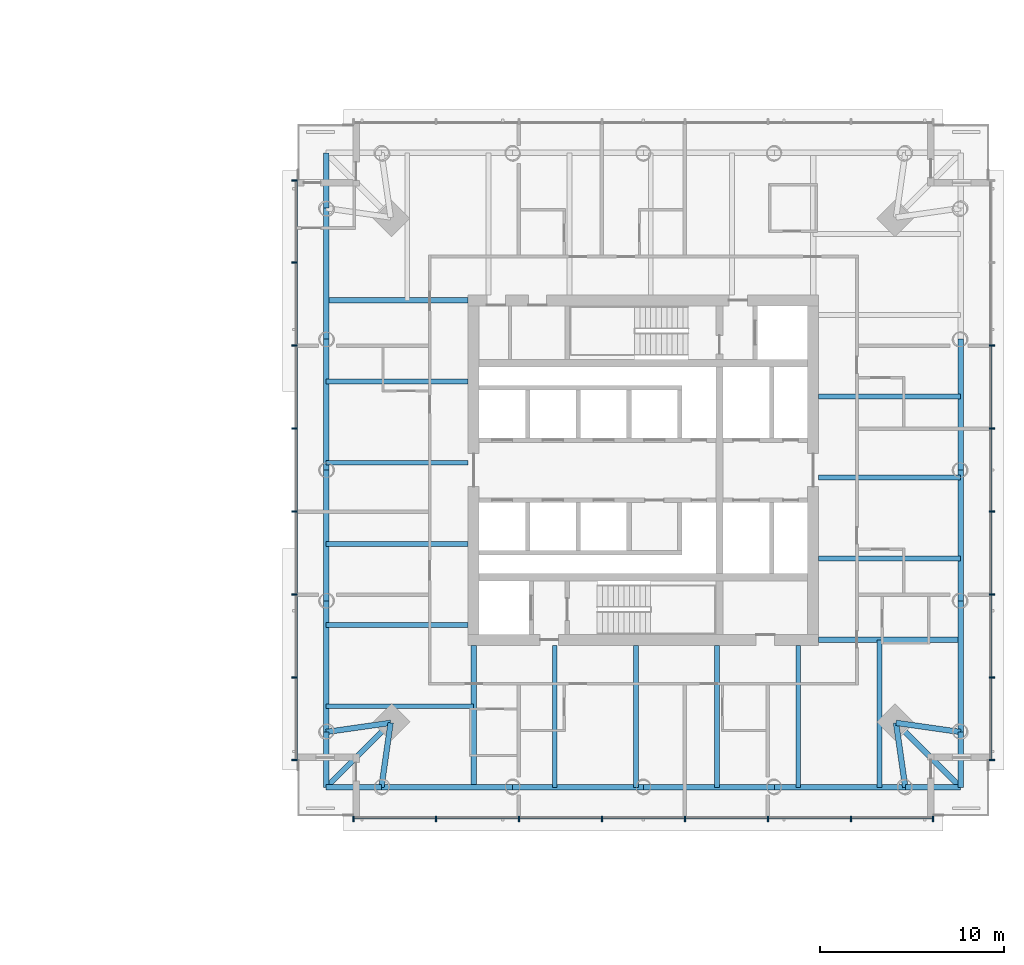
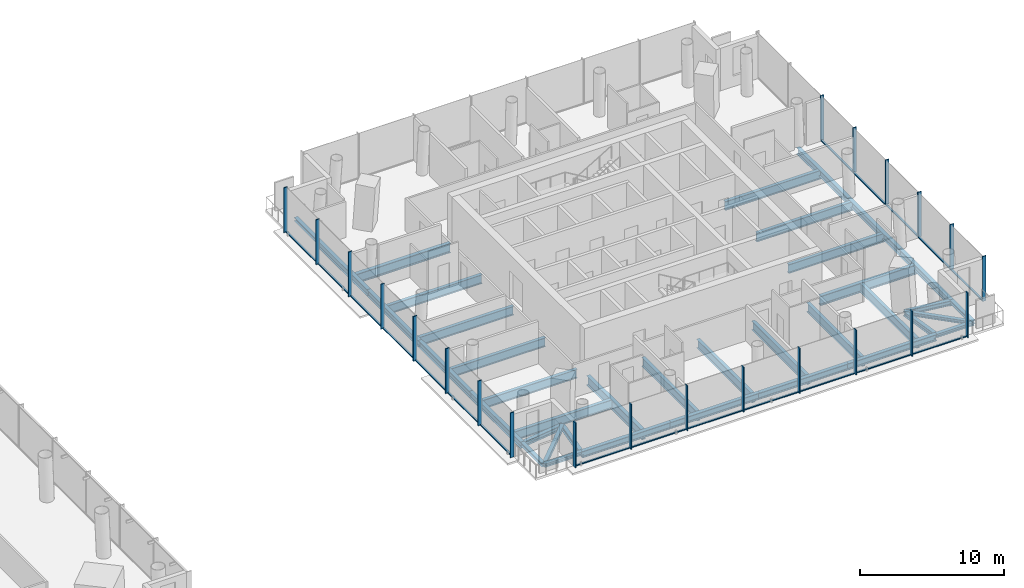
# One storey, part 5 of 22: 41 members, 38 beams, 3 elements without a shape of their own.
"""IFC4 building model written with IfcOpenShell, lengths in metres."""

from ifc_helpers import new_model, si_unit, direction, frame, origin, origin_2d, place, context, subcontext, project, spatial, rectangle, i_section, extrude, material, material_profile, profile_set, type_object, element, aggregate, save


model = new_model("IFC4")

# Units and contexts
model_context = context("Model", 3, precision=1e-05, world=origin(), true_north=direction((0.0, 1.0)))
body_context = subcontext(model_context, "Body", "Model", "MODEL_VIEW")
ifc_project = project(units=[si_unit("LENGTHUNIT", "METRE"), si_unit("AREAUNIT", "SQUARE_METRE"), si_unit("VOLUMEUNIT", "CUBIC_METRE"), si_unit("PLANEANGLEUNIT", "RADIAN"), si_unit("MASSUNIT", "GRAM", prefix="KILO")], contexts=[model_context])

# Site, building, storey
site_placement = place(None, origin())
site = spatial("IfcSite", under=ifc_project, at=site_placement, CompositionType="ELEMENT")
building_placement = place(site_placement, origin())
building = spatial("IfcBuilding", under=site, at=building_placement, Name="Ostroluk Exchange", CompositionType="ELEMENT")
storey_placement = place(building_placement, frame((0.0, 0.0, 62.800048828125)))
storey = spatial("IfcBuildingStorey", under=building, at=storey_placement, Name="L15", CompositionType="ELEMENT", Elevation=62.800048828125)

# Beams
ifc_material_1 = material(Name="Steel S355", Category="steel")
ifc_material_profile_1 = material_profile(ifc_material_1, i_section(OverallWidth=0.300048828125, OverallDepth=0.300048828125, WebThickness=0.010986328125, FlangeThickness=0.01904296875, FilletRadius=0.027099609375, at=origin_2d()), Name="HEB 300")
ifc_profile_set_1 = profile_set([ifc_material_profile_1], Name="Steel S355")
beam_type_1 = type_object("IfcBeamType", Name="Balcony beam HEB 300", PredefinedType="BEAM", material=ifc_profile_set_1)
for number, where, z_axis, x_axis, name in (
    (1, (99.8017578125, 60.1982421875, -0.35009765625), (0.0, 1.0, 0.0), (-1.0, 0.0, 0.0), "T2 north balcony beam b"),
    (2, (99.8017578125, 31.8017578125, -0.35009765625), (0.0, -1.0, 0.0), (1.0, 0.0, 0.0), "T2 west balcony beam a"),
    (3, (102.8017578125, 28.8017578125, -0.35009765625), (-1.0, 0.0, 0.0), (0.0, -1.0, 0.0), "T2 west balcony beam b"),
):
    element("IfcBeam", number, at=place(storey_placement, frame(where, z_axis=z_axis, x_axis=x_axis)), inside=storey, type_object=beam_type_1, Name=name, PredefinedType="BEAM", context=body_context, shape_type="SweptSolid", body=[
        extrude(i_section(OverallWidth=0.300048828125, OverallDepth=0.300048828125, WebThickness=0.010986328125, FlangeThickness=0.01904296875, FilletRadius=0.027099609375, at=origin_2d()), origin(), (0.0, 0.0, 1.0), 3.0),
    ])
beam_1_placement = place(storey_placement, frame((103.3017578125, 32.3017578125, -0.35009765625), z_axis=(-0.707106781187, -0.707106781187, 0.0), x_axis=(0.707106781187, -0.707106781187, 0.0)))
element("IfcBeam", 4, at=beam_1_placement, inside=storey, type_object=beam_type_1, Name="T2 west balcony beam c", PredefinedType="BEAM", context=body_context, shape_type="SweptSolid", body=[
    extrude(i_section(OverallWidth=0.300048828125, OverallDepth=0.300048828125, WebThickness=0.010986328125, FlangeThickness=0.01904296875, FilletRadius=0.027099609375, at=origin_2d()), origin(), (0.0, 0.0, 1.0), 4.94970703125),
])
for number, where, z_axis, x_axis, name in (
    (5, (131.1982421875, 28.8017578125, -0.35009765625), (1.0, 0.0, 0.0), (0.0, 1.0, 0.0), "T2 south balcony beam a"),
    (6, (134.1982421875, 31.8017578125, -0.35009765625), (0.0, -1.0, 0.0), (1.0, 0.0, 0.0), "T2 south balcony beam b"),
):
    element("IfcBeam", number, at=place(storey_placement, frame(where, z_axis=z_axis, x_axis=x_axis)), inside=storey, type_object=beam_type_1, Name=name, PredefinedType="BEAM", context=body_context, shape_type="SweptSolid", body=[
        extrude(i_section(OverallWidth=0.300048828125, OverallDepth=0.300048828125, WebThickness=0.010986328125, FlangeThickness=0.01904296875, FilletRadius=0.027099609375, at=origin_2d()), origin(), (0.0, 0.0, 1.0), 3.0),
    ])
beam_2_placement = place(storey_placement, frame((130.6982421875, 32.3017578125, -0.35009765625), z_axis=(0.707106781187, -0.707106781187, 0.0), x_axis=(0.707106781187, 0.707106781187, 0.0)))
element("IfcBeam", 7, at=beam_2_placement, inside=storey, type_object=beam_type_1, Name="T2 south balcony beam c", PredefinedType="BEAM", context=body_context, shape_type="SweptSolid", body=[
    extrude(i_section(OverallWidth=0.300048828125, OverallDepth=0.300048828125, WebThickness=0.010986328125, FlangeThickness=0.01904296875, FilletRadius=0.027099609375, at=origin_2d()), origin(), (0.0, 0.0, 1.0), 4.94970703125),
])
ifc_material_2 = material(Name="Steel S355", Category="steel")
ifc_material_profile_2 = material_profile(ifc_material_2, i_section(OverallWidth=0.300048828125, OverallDepth=0.39990234375, WebThickness=0.013427734375, FlangeThickness=0.02392578125, FilletRadius=0.027099609375, at=origin_2d()), Name="HEB 400")
ifc_profile_set_2 = profile_set([ifc_material_profile_2], Name="Steel S355")
beam_type_2 = type_object("IfcBeamType", Name="Corner edge beam HEB 400", PredefinedType="SPANDREL", material=ifc_profile_set_2)
for number, where, z_axis, x_axis, name in (
    (8, (103.3017578125, 32.3017578125, -0.400146484375), (-0.989949493661, -0.141421356237, 0.0), (0.141421356237, -0.989949493661, 0.0), "T2 west corner edge beam a"),
    (9, (103.3017578125, 32.3017578125, -0.400146484375), (-0.141421356237, -0.989949493661, 0.0), (0.989949493661, -0.141421356237, 0.0), "T2 west corner edge beam b"),
    (10, (130.6982421875, 32.3017578125, -0.400146484375), (0.141421356237, -0.989949493661, 0.0), (0.989949493661, 0.141421356237, 0.0), "T2 south corner edge beam a"),
    (11, (130.6982421875, 32.3017578125, -0.400146484375), (0.989949493661, -0.141421356237, 0.0), (0.141421356237, 0.989949493661, 0.0), "T2 south corner edge beam b"),
):
    element("IfcBeam", number, at=place(storey_placement, frame(where, z_axis=z_axis, x_axis=x_axis)), inside=storey, type_object=beam_type_2, Name=name, PredefinedType="SPANDREL", context=body_context, shape_type="SweptSolid", body=[
        extrude(i_section(OverallWidth=0.300048828125, OverallDepth=0.39990234375, WebThickness=0.013427734375, FlangeThickness=0.02392578125, FilletRadius=0.027099609375, at=origin_2d()), origin(), (0.0, 0.0, 1.0), 3.53564453125),
    ])
ifc_material_3 = material(Name="Steel S355", Category="steel")
ifc_material_profile_3 = material_profile(ifc_material_3, i_section(OverallWidth=0.264892578125, OverallDepth=0.7529296875, WebThickness=0.01318359375, FlangeThickness=0.01708984375, FilletRadius=0.01708984375, at=origin_2d()), Name="IPE 750x147")
ifc_profile_set_3 = profile_set([ifc_material_profile_3], Name="Steel S355")
beam_type_3 = type_object("IfcBeamType", Name="Floor beam IPE 750x147", PredefinedType="BEAM", material=ifc_profile_set_3)
for number, where, z_axis, x_axis, name in (
    (12, (126.5, 41.19970703125, -0.57666015625), (1.0, 0.0, 0.0), (0.0, 1.0, 0.0), "T2 east floor beam 1"),
    (13, (126.5, 45.599365234375, -0.57666015625), (1.0, 0.0, 0.0), (0.0, 1.0, 0.0), "T2 east floor beam 2"),
    (14, (126.5, 49.9990234375, -0.57666015625), (1.0, 0.0, 0.0), (0.0, 1.0, 0.0), "T2 east floor beam 3"),
    (15, (107.5, 50.80029296875, -0.57666015625), (-1.0, 0.0, 0.0), (0.0, -1.0, 0.0), "T2 west floor beam 1"),
    (16, (107.5, 46.400634765625, -0.57666015625), (-1.0, 0.0, 0.0), (0.0, -1.0, 0.0), "T2 west floor beam 2"),
    (17, (107.5, 42.0009765625, -0.57666015625), (-1.0, 0.0, 0.0), (0.0, -1.0, 0.0), "T2 west floor beam 3"),
    (18, (107.5, 37.60107421875, -0.57666015625), (-1.0, 0.0, 0.0), (0.0, -1.0, 0.0), "T2 west floor beam 4"),
):
    element("IfcBeam", number, at=place(storey_placement, frame(where, z_axis=z_axis, x_axis=x_axis)), inside=storey, type_object=beam_type_3, Name=name, PredefinedType="BEAM", context=body_context, shape_type="SweptSolid", body=[
        extrude(i_section(OverallWidth=0.264892578125, OverallDepth=0.7529296875, WebThickness=0.01318359375, FlangeThickness=0.01708984375, FilletRadius=0.01708984375, at=origin_2d()), origin(), (0.0, 0.0, 1.0), 7.6982421875),
    ])
beam_3_placement = place(storey_placement, frame((107.800048828125, 33.20166015625, -0.57666015625), z_axis=(-1.0, 0.0, 0.0), x_axis=(0.0, -1.0, 0.0)))
element("IfcBeam", 19, at=beam_3_placement, inside=storey, type_object=beam_type_3, Name="T2 west floor beam 5", PredefinedType="BEAM", context=body_context, shape_type="SweptSolid", body=[
    extrude(i_section(OverallWidth=0.264892578125, OverallDepth=0.7529296875, WebThickness=0.01318359375, FlangeThickness=0.01708984375, FilletRadius=0.01708984375, at=origin_2d()), origin(), (0.0, 0.0, 1.0), 7.998291015625),
])
for number, where, z_axis, x_axis, name in (
    (20, (112.19970703125, 36.5, -0.57666015625), (0.0, -1.0, 0.0), (1.0, 0.0, 0.0), "T2 south floor beam 1"),
    (21, (116.599365234375, 36.5, -0.57666015625), (0.0, -1.0, 0.0), (1.0, 0.0, 0.0), "T2 south floor beam 2"),
    (22, (120.9990234375, 36.5, -0.57666015625), (0.0, -1.0, 0.0), (1.0, 0.0, 0.0), "T2 south floor beam 3"),
    (23, (125.39892578125, 36.5, -0.57666015625), (0.0, -1.0, 0.0), (1.0, 0.0, 0.0), "T2 south floor beam 4"),
):
    element("IfcBeam", number, at=place(storey_placement, frame(where, z_axis=z_axis, x_axis=x_axis)), inside=storey, type_object=beam_type_3, Name=name, PredefinedType="BEAM", context=body_context, shape_type="SweptSolid", body=[
        extrude(i_section(OverallWidth=0.264892578125, OverallDepth=0.7529296875, WebThickness=0.01318359375, FlangeThickness=0.01708984375, FilletRadius=0.01708984375, at=origin_2d()), origin(), (0.0, 0.0, 1.0), 7.6982421875),
    ])
beam_4_placement = place(storey_placement, frame((129.79833984375, 36.800048828125, -0.57666015625), z_axis=(0.0, -1.0, 0.0), x_axis=(1.0, 0.0, 0.0)))
element("IfcBeam", 24, at=beam_4_placement, inside=storey, type_object=beam_type_3, Name="T2 south floor beam 5", PredefinedType="BEAM", context=body_context, shape_type="SweptSolid", body=[
    extrude(i_section(OverallWidth=0.264892578125, OverallDepth=0.7529296875, WebThickness=0.01318359375, FlangeThickness=0.01708984375, FilletRadius=0.01708984375, at=origin_2d()), origin(), (0.0, 0.0, 1.0), 7.998291015625),
])
ifc_material_4 = material(Name="Steel S355", Category="steel")
ifc_material_profile_4 = material_profile(ifc_material_4, i_section(OverallWidth=0.300048828125, OverallDepth=0.800048828125, WebThickness=0.017578125, FlangeThickness=0.032958984375, FilletRadius=0.030029296875, at=origin_2d()), Name="HEB 800")
ifc_profile_set_4 = profile_set([ifc_material_profile_4], Name="Steel S355")
beam_type_4 = type_object("IfcBeamType", Name="Girder HEB 800", PredefinedType="BEAM", material=ifc_profile_set_4)
for number, where, z_axis, x_axis, name in (
    (25, (107.5, 55.199951171875, -0.60009765625), (-1.0, 0.0, 0.0), (0.0, -1.0, 0.0), "T2 north girder"),
    (26, (107.800048828125, 36.5, -0.60009765625), (0.0, -1.0, 0.0), (1.0, 0.0, 0.0), "T2 west girder"),
    (27, (126.5, 36.800048828125, -0.60009765625), (1.0, 0.0, 0.0), (0.0, 1.0, 0.0), "T2 south girder"),
):
    element("IfcBeam", number, at=place(storey_placement, frame(where, z_axis=z_axis, x_axis=x_axis)), inside=storey, type_object=beam_type_4, Name=name, PredefinedType="BEAM", context=body_context, shape_type="SweptSolid", body=[
        extrude(i_section(OverallWidth=0.300048828125, OverallDepth=0.800048828125, WebThickness=0.017578125, FlangeThickness=0.032958984375, FilletRadius=0.030029296875, at=origin_2d()), origin(), (0.0, 0.0, 1.0), 7.6982421875),
    ])
ifc_material_5 = material(Name="Steel S355", Category="steel")
ifc_material_profile_5 = material_profile(ifc_material_5, i_section(OverallWidth=0.300048828125, OverallDepth=0.550048828125, WebThickness=0.014892578125, FlangeThickness=0.029052734375, FilletRadius=0.027099609375, at=origin_2d()), Name="HEB 550")
ifc_profile_set_5 = profile_set([ifc_material_profile_5], Name="Steel S355")
beam_type_5 = type_object("IfcBeamType", Name="Moment-connected edge beam HEB 550", PredefinedType="SPANDREL", material=ifc_profile_set_5)
for number, where, z_axis, x_axis, name in (
    (28, (134.1982421875, 31.8017578125, -0.47509765625), (0.0, 1.0, 0.0), (-1.0, 0.0, 0.0), "T2 east edge beam 1"),
    (29, (134.1982421875, 38.90087890625, -0.47509765625), (0.0, 1.0, 0.0), (-1.0, 0.0, 0.0), "T2 east edge beam 2"),
    (30, (134.1982421875, 46.0, -0.47509765625), (0.0, 1.0, 0.0), (-1.0, 0.0, 0.0), "T2 east edge beam 3"),
    (31, (99.8017578125, 60.1982421875, -0.47509765625), (0.0, -1.0, 0.0), (1.0, 0.0, 0.0), "T2 west edge beam 1"),
    (32, (99.8017578125, 53.09912109375, -0.47509765625), (0.0, -1.0, 0.0), (1.0, 0.0, 0.0), "T2 west edge beam 2"),
    (33, (99.8017578125, 46.0, -0.47509765625), (0.0, -1.0, 0.0), (1.0, 0.0, 0.0), "T2 west edge beam 3"),
    (34, (99.8017578125, 38.90087890625, -0.47509765625), (0.0, -1.0, 0.0), (1.0, 0.0, 0.0), "T2 west edge beam 4"),
    (35, (102.8017578125, 28.8017578125, -0.47509765625), (1.0, 0.0, 0.0), (0.0, 1.0, 0.0), "T2 south edge beam 1"),
    (36, (109.90087890625, 28.8017578125, -0.47509765625), (1.0, 0.0, 0.0), (0.0, 1.0, 0.0), "T2 south edge beam 2"),
    (37, (117.0, 28.8017578125, -0.47509765625), (1.0, 0.0, 0.0), (0.0, 1.0, 0.0), "T2 south edge beam 3"),
    (38, (124.09912109375, 28.8017578125, -0.47509765625), (1.0, 0.0, 0.0), (0.0, 1.0, 0.0), "T2 south edge beam 4"),
):
    element("IfcBeam", number, at=place(storey_placement, frame(where, z_axis=z_axis, x_axis=x_axis)), inside=storey, type_object=beam_type_5, Name=name, PredefinedType="SPANDREL", context=body_context, shape_type="SweptSolid", body=[
        extrude(i_section(OverallWidth=0.300048828125, OverallDepth=0.550048828125, WebThickness=0.014892578125, FlangeThickness=0.029052734375, FilletRadius=0.027099609375, at=origin_2d()), origin(), (0.0, 0.0, 1.0), 7.09912109375),
    ])

# Curtain wall, members
ifc_material_6 = material(Name="Laminated clear glass", Category="glass")
curtain_wall_type = type_object("IfcCurtainWallType", Name="Hotel guest floor facade", PredefinedType="USERDEFINED", material=ifc_material_6)
curtain_wall_1_placement = place(storey_placement, origin())
curtain_wall_1 = element("IfcCurtainWall", 39, at=curtain_wall_1_placement, inside=storey, type_object=curtain_wall_type, Name="Hotel tower south facade L15", ObjectType="UNITISED CURTAIN WALL", PredefinedType="USERDEFINED")
ifc_material_7 = material(Name="Aluminium mullion", Category="aluminium")
ifc_material_profile_6 = material_profile(ifc_material_7, rectangle(XDim=0.14990234375, YDim=0.080078125, at=origin_2d()), Name="Sill transom 80 x 150")
ifc_profile_set_6 = profile_set([ifc_material_profile_6], Name="Aluminium mullion")
member_type_1 = type_object("IfcMemberType", Name="Sill transom 80 x 150", PredefinedType="USERDEFINED", material=ifc_profile_set_6)
member_1_placement = place(storey_placement, frame((101.330078125, 27.175048828125, 0.0400390625), z_axis=(1.0, 0.0, 0.0), x_axis=(0.0, 1.0, 0.0)))
member_1 = element("IfcMember", 40, at=member_1_placement, type_object=member_type_1, Name="CW-H1 transom 1.1", ObjectType="TRANSOM", PredefinedType="USERDEFINED", context=body_context, shape_type="SweptSolid", body=[
    extrude(rectangle(XDim=0.14990234375, YDim=0.080078125, at=origin_2d()), origin(), (0.0, 0.0, 1.0), 4.3798828125),
])
member_2_placement = place(storey_placement, frame((105.7900390625, 27.175048828125, 0.0400390625), z_axis=(1.0, 0.0, 0.0), x_axis=(0.0, 1.0, 0.0)))
member_2 = element("IfcMember", 41, at=member_2_placement, type_object=member_type_1, Name="CW-H1 transom 2.1", ObjectType="TRANSOM", PredefinedType="USERDEFINED", context=body_context, shape_type="SweptSolid", body=[
    extrude(rectangle(XDim=0.14990234375, YDim=0.080078125, at=origin_2d()), origin(), (0.0, 0.0, 1.0), 4.419921875),
])
member_3_placement = place(storey_placement, frame((110.2900390625, 27.175048828125, 0.0400390625), z_axis=(1.0, 0.0, 0.0), x_axis=(0.0, 1.0, 0.0)))
member_3 = element("IfcMember", 42, at=member_3_placement, type_object=member_type_1, Name="CW-H1 transom 3.1", ObjectType="TRANSOM", PredefinedType="USERDEFINED", context=body_context, shape_type="SweptSolid", body=[
    extrude(rectangle(XDim=0.14990234375, YDim=0.080078125, at=origin_2d()), origin(), (0.0, 0.0, 1.0), 4.419921875),
])
member_4_placement = place(storey_placement, frame((114.7900390625, 27.175048828125, 0.0400390625), z_axis=(1.0, 0.0, 0.0), x_axis=(0.0, 1.0, 0.0)))
member_4 = element("IfcMember", 43, at=member_4_placement, type_object=member_type_1, Name="CW-H1 transom 4.1", ObjectType="TRANSOM", PredefinedType="USERDEFINED", context=body_context, shape_type="SweptSolid", body=[
    extrude(rectangle(XDim=0.14990234375, YDim=0.080078125, at=origin_2d()), origin(), (0.0, 0.0, 1.0), 4.419921875),
])
member_5_placement = place(storey_placement, frame((119.2900390625, 27.175048828125, 0.0400390625), z_axis=(1.0, 0.0, 0.0), x_axis=(0.0, 1.0, 0.0)))
member_5 = element("IfcMember", 44, at=member_5_placement, type_object=member_type_1, Name="CW-H1 transom 5.1", ObjectType="TRANSOM", PredefinedType="USERDEFINED", context=body_context, shape_type="SweptSolid", body=[
    extrude(rectangle(XDim=0.14990234375, YDim=0.080078125, at=origin_2d()), origin(), (0.0, 0.0, 1.0), 4.419921875),
])
member_6_placement = place(storey_placement, frame((123.7900390625, 27.175048828125, 0.0400390625), z_axis=(1.0, 0.0, 0.0), x_axis=(0.0, 1.0, 0.0)))
member_6 = element("IfcMember", 45, at=member_6_placement, type_object=member_type_1, Name="CW-H1 transom 6.1", ObjectType="TRANSOM", PredefinedType="USERDEFINED", context=body_context, shape_type="SweptSolid", body=[
    extrude(rectangle(XDim=0.14990234375, YDim=0.080078125, at=origin_2d()), origin(), (0.0, 0.0, 1.0), 4.419921875),
])
member_7_placement = place(storey_placement, frame((128.2900390625, 27.175048828125, 0.0400390625), z_axis=(1.0, 0.0, 0.0), x_axis=(0.0, 1.0, 0.0)))
member_7 = element("IfcMember", 46, at=member_7_placement, type_object=member_type_1, Name="CW-H1 transom 7.1", ObjectType="TRANSOM", PredefinedType="USERDEFINED", context=body_context, shape_type="SweptSolid", body=[
    extrude(rectangle(XDim=0.14990234375, YDim=0.080078125, at=origin_2d()), origin(), (0.0, 0.0, 1.0), 4.3798828125),
])

curtain_wall_2_placement = place(storey_placement, origin())
curtain_wall_2 = element("IfcCurtainWall", 47, at=curtain_wall_2_placement, inside=storey, type_object=curtain_wall_type, Name="Hotel tower east facade L15", ObjectType="UNITISED CURTAIN WALL", PredefinedType="USERDEFINED")
member_8_placement = place(storey_placement, frame((135.824951171875, 30.330078125, 0.0400390625), z_axis=(0.0, 1.0, 0.0), x_axis=(-1.0, 0.0, 0.0)))
member_8 = element("IfcMember", 48, at=member_8_placement, type_object=member_type_1, Name="CW-H1 transom 1.1", ObjectType="TRANSOM", PredefinedType="USERDEFINED", context=body_context, shape_type="SweptSolid", body=[
    extrude(rectangle(XDim=0.14990234375, YDim=0.080078125, at=origin_2d()), origin(), (0.0, 0.0, 1.0), 4.3798828125),
])
member_9_placement = place(storey_placement, frame((135.824951171875, 34.7900390625, 0.0400390625), z_axis=(0.0, 1.0, 0.0), x_axis=(-1.0, 0.0, 0.0)))
member_9 = element("IfcMember", 49, at=member_9_placement, type_object=member_type_1, Name="CW-H1 transom 2.1", ObjectType="TRANSOM", PredefinedType="USERDEFINED", context=body_context, shape_type="SweptSolid", body=[
    extrude(rectangle(XDim=0.14990234375, YDim=0.080078125, at=origin_2d()), origin(), (0.0, 0.0, 1.0), 4.419921875),
])
member_10_placement = place(storey_placement, frame((135.824951171875, 39.2900390625, 0.0400390625), z_axis=(0.0, 1.0, 0.0), x_axis=(-1.0, 0.0, 0.0)))
member_10 = element("IfcMember", 50, at=member_10_placement, type_object=member_type_1, Name="CW-H1 transom 3.1", ObjectType="TRANSOM", PredefinedType="USERDEFINED", context=body_context, shape_type="SweptSolid", body=[
    extrude(rectangle(XDim=0.14990234375, YDim=0.080078125, at=origin_2d()), origin(), (0.0, 0.0, 1.0), 4.419921875),
])
member_11_placement = place(storey_placement, frame((135.824951171875, 43.7900390625, 0.0400390625), z_axis=(0.0, 1.0, 0.0), x_axis=(-1.0, 0.0, 0.0)))
member_11 = element("IfcMember", 51, at=member_11_placement, type_object=member_type_1, Name="CW-H1 transom 4.1", ObjectType="TRANSOM", PredefinedType="USERDEFINED", context=body_context, shape_type="SweptSolid", body=[
    extrude(rectangle(XDim=0.14990234375, YDim=0.080078125, at=origin_2d()), origin(), (0.0, 0.0, 1.0), 4.419921875),
])
member_12_placement = place(storey_placement, frame((135.824951171875, 48.2900390625, 0.0400390625), z_axis=(0.0, 1.0, 0.0), x_axis=(-1.0, 0.0, 0.0)))
member_12 = element("IfcMember", 52, at=member_12_placement, type_object=member_type_1, Name="CW-H1 transom 5.1", ObjectType="TRANSOM", PredefinedType="USERDEFINED", context=body_context, shape_type="SweptSolid", body=[
    extrude(rectangle(XDim=0.14990234375, YDim=0.080078125, at=origin_2d()), origin(), (0.0, 0.0, 1.0), 4.419921875),
])

curtain_wall_3_placement = place(storey_placement, origin())
curtain_wall_3 = element("IfcCurtainWall", 53, at=curtain_wall_3_placement, inside=storey, type_object=curtain_wall_type, Name="Hotel tower west facade L15", ObjectType="UNITISED CURTAIN WALL", PredefinedType="USERDEFINED")
member_13_placement = place(storey_placement, frame((98.175048828125, 61.669921875, 0.0400390625), z_axis=(0.0, -1.0, 0.0), x_axis=(1.0, 0.0, 0.0)))
member_13 = element("IfcMember", 54, at=member_13_placement, type_object=member_type_1, Name="CW-H1 transom 1.1", ObjectType="TRANSOM", PredefinedType="USERDEFINED", context=body_context, shape_type="SweptSolid", body=[
    extrude(rectangle(XDim=0.14990234375, YDim=0.080078125, at=origin_2d()), origin(), (0.0, 0.0, 1.0), 4.3798828125),
])
member_14_placement = place(storey_placement, frame((98.175048828125, 57.2099609375, 0.0400390625), z_axis=(0.0, -1.0, 0.0), x_axis=(1.0, 0.0, 0.0)))
member_14 = element("IfcMember", 55, at=member_14_placement, type_object=member_type_1, Name="CW-H1 transom 2.1", ObjectType="TRANSOM", PredefinedType="USERDEFINED", context=body_context, shape_type="SweptSolid", body=[
    extrude(rectangle(XDim=0.14990234375, YDim=0.080078125, at=origin_2d()), origin(), (0.0, 0.0, 1.0), 4.419921875),
])
member_15_placement = place(storey_placement, frame((98.175048828125, 52.7099609375, 0.0400390625), z_axis=(0.0, -1.0, 0.0), x_axis=(1.0, 0.0, 0.0)))
member_15 = element("IfcMember", 56, at=member_15_placement, type_object=member_type_1, Name="CW-H1 transom 3.1", ObjectType="TRANSOM", PredefinedType="USERDEFINED", context=body_context, shape_type="SweptSolid", body=[
    extrude(rectangle(XDim=0.14990234375, YDim=0.080078125, at=origin_2d()), origin(), (0.0, 0.0, 1.0), 4.419921875),
])
member_16_placement = place(storey_placement, frame((98.175048828125, 48.2099609375, 0.0400390625), z_axis=(0.0, -1.0, 0.0), x_axis=(1.0, 0.0, 0.0)))
member_16 = element("IfcMember", 57, at=member_16_placement, type_object=member_type_1, Name="CW-H1 transom 4.1", ObjectType="TRANSOM", PredefinedType="USERDEFINED", context=body_context, shape_type="SweptSolid", body=[
    extrude(rectangle(XDim=0.14990234375, YDim=0.080078125, at=origin_2d()), origin(), (0.0, 0.0, 1.0), 4.419921875),
])
member_17_placement = place(storey_placement, frame((98.175048828125, 43.7099609375, 0.0400390625), z_axis=(0.0, -1.0, 0.0), x_axis=(1.0, 0.0, 0.0)))
member_17 = element("IfcMember", 58, at=member_17_placement, type_object=member_type_1, Name="CW-H1 transom 5.1", ObjectType="TRANSOM", PredefinedType="USERDEFINED", context=body_context, shape_type="SweptSolid", body=[
    extrude(rectangle(XDim=0.14990234375, YDim=0.080078125, at=origin_2d()), origin(), (0.0, 0.0, 1.0), 4.419921875),
])
member_18_placement = place(storey_placement, frame((98.175048828125, 39.2099609375, 0.0400390625), z_axis=(0.0, -1.0, 0.0), x_axis=(1.0, 0.0, 0.0)))
member_18 = element("IfcMember", 59, at=member_18_placement, type_object=member_type_1, Name="CW-H1 transom 6.1", ObjectType="TRANSOM", PredefinedType="USERDEFINED", context=body_context, shape_type="SweptSolid", body=[
    extrude(rectangle(XDim=0.14990234375, YDim=0.080078125, at=origin_2d()), origin(), (0.0, 0.0, 1.0), 4.419921875),
])
member_19_placement = place(storey_placement, frame((98.175048828125, 34.7099609375, 0.0400390625), z_axis=(0.0, -1.0, 0.0), x_axis=(1.0, 0.0, 0.0)))
member_19 = element("IfcMember", 60, at=member_19_placement, type_object=member_type_1, Name="CW-H1 transom 7.1", ObjectType="TRANSOM", PredefinedType="USERDEFINED", context=body_context, shape_type="SweptSolid", body=[
    extrude(rectangle(XDim=0.14990234375, YDim=0.080078125, at=origin_2d()), origin(), (0.0, 0.0, 1.0), 4.3798828125),
])

# Member
ifc_material_8 = material(Name="Aluminium mullion with limestone facing", Category="masonry")
ifc_material_profile_7 = material_profile(ifc_material_8, rectangle(XDim=0.300048828125, YDim=0.080078125, at=origin_2d()), Name="Tracery mullion 80 x 300")
ifc_profile_set_7 = profile_set([ifc_material_profile_7], Name="Aluminium mullion with limestone facing")
member_type_2 = type_object("IfcMemberType", Name="Tracery mullion 80 x 300", PredefinedType="MULLION", material=ifc_profile_set_7)
member_20_placement = place(storey_placement, frame((101.2900390625, 27.10009765625, 0.0), z_axis=(0.0, 0.0, 1.0), x_axis=(0.0, 1.0, 0.0)))
member_20 = element("IfcMember", 61, at=member_20_placement, type_object=member_type_2, Name="CW-H1 mullion 1", PredefinedType="MULLION", context=body_context, shape_type="SweptSolid", body=[
    extrude(rectangle(XDim=0.300048828125, YDim=0.080078125, at=origin_2d()), origin(), (0.0, 0.0, 1.0), 3.800048828125),
])

member_21_placement = place(storey_placement, frame((105.75, 27.10009765625, 0.0), z_axis=(0.0, 0.0, 1.0), x_axis=(0.0, 1.0, 0.0)))
member_21 = element("IfcMember", 62, at=member_21_placement, type_object=member_type_2, Name="CW-H1 mullion 2", PredefinedType="MULLION", context=body_context, shape_type="SweptSolid", body=[
    extrude(rectangle(XDim=0.300048828125, YDim=0.080078125, at=origin_2d()), origin(), (0.0, 0.0, 1.0), 3.800048828125),
])

member_22_placement = place(storey_placement, frame((110.25, 27.10009765625, 0.0), z_axis=(0.0, 0.0, 1.0), x_axis=(0.0, 1.0, 0.0)))
member_22 = element("IfcMember", 63, at=member_22_placement, type_object=member_type_2, Name="CW-H1 mullion 3", PredefinedType="MULLION", context=body_context, shape_type="SweptSolid", body=[
    extrude(rectangle(XDim=0.300048828125, YDim=0.080078125, at=origin_2d()), origin(), (0.0, 0.0, 1.0), 3.800048828125),
])

member_23_placement = place(storey_placement, frame((114.75, 27.10009765625, 0.0), z_axis=(0.0, 0.0, 1.0), x_axis=(0.0, 1.0, 0.0)))
member_23 = element("IfcMember", 64, at=member_23_placement, type_object=member_type_2, Name="CW-H1 mullion 4", PredefinedType="MULLION", context=body_context, shape_type="SweptSolid", body=[
    extrude(rectangle(XDim=0.300048828125, YDim=0.080078125, at=origin_2d()), origin(), (0.0, 0.0, 1.0), 3.800048828125),
])

member_24_placement = place(storey_placement, frame((119.25, 27.10009765625, 0.0), z_axis=(0.0, 0.0, 1.0), x_axis=(0.0, 1.0, 0.0)))
member_24 = element("IfcMember", 65, at=member_24_placement, type_object=member_type_2, Name="CW-H1 mullion 5", PredefinedType="MULLION", context=body_context, shape_type="SweptSolid", body=[
    extrude(rectangle(XDim=0.300048828125, YDim=0.080078125, at=origin_2d()), origin(), (0.0, 0.0, 1.0), 3.800048828125),
])

member_25_placement = place(storey_placement, frame((123.75, 27.10009765625, 0.0), z_axis=(0.0, 0.0, 1.0), x_axis=(0.0, 1.0, 0.0)))
member_25 = element("IfcMember", 66, at=member_25_placement, type_object=member_type_2, Name="CW-H1 mullion 6", PredefinedType="MULLION", context=body_context, shape_type="SweptSolid", body=[
    extrude(rectangle(XDim=0.300048828125, YDim=0.080078125, at=origin_2d()), origin(), (0.0, 0.0, 1.0), 3.800048828125),
])

member_26_placement = place(storey_placement, frame((128.25, 27.10009765625, 0.0), z_axis=(0.0, 0.0, 1.0), x_axis=(0.0, 1.0, 0.0)))
member_26 = element("IfcMember", 67, at=member_26_placement, type_object=member_type_2, Name="CW-H1 mullion 7", PredefinedType="MULLION", context=body_context, shape_type="SweptSolid", body=[
    extrude(rectangle(XDim=0.300048828125, YDim=0.080078125, at=origin_2d()), origin(), (0.0, 0.0, 1.0), 3.800048828125),
])

member_27_placement = place(storey_placement, frame((132.7099609375, 27.10009765625, 0.0), z_axis=(0.0, 0.0, 1.0), x_axis=(0.0, 1.0, 0.0)))
member_27 = element("IfcMember", 68, at=member_27_placement, type_object=member_type_2, Name="CW-H1 mullion 8", PredefinedType="MULLION", context=body_context, shape_type="SweptSolid", body=[
    extrude(rectangle(XDim=0.300048828125, YDim=0.080078125, at=origin_2d()), origin(), (0.0, 0.0, 1.0), 3.800048828125),
])

aggregate(curtain_wall_1, [member_20, member_21, member_22, member_23, member_24, member_25, member_26, member_27, member_1, member_2, member_3, member_4, member_5, member_6, member_7])

member_28_placement = place(storey_placement, frame((135.89990234375, 30.2900390625, 0.0), z_axis=(0.0, 0.0, 1.0), x_axis=(-1.0, 0.0, 0.0)))
member_28 = element("IfcMember", 69, at=member_28_placement, type_object=member_type_2, Name="CW-H1 mullion 1", PredefinedType="MULLION", context=body_context, shape_type="SweptSolid", body=[
    extrude(rectangle(XDim=0.300048828125, YDim=0.080078125, at=origin_2d()), origin(), (0.0, 0.0, 1.0), 3.800048828125),
])

member_29_placement = place(storey_placement, frame((135.89990234375, 34.75, 0.0), z_axis=(0.0, 0.0, 1.0), x_axis=(-1.0, 0.0, 0.0)))
member_29 = element("IfcMember", 70, at=member_29_placement, type_object=member_type_2, Name="CW-H1 mullion 2", PredefinedType="MULLION", context=body_context, shape_type="SweptSolid", body=[
    extrude(rectangle(XDim=0.300048828125, YDim=0.080078125, at=origin_2d()), origin(), (0.0, 0.0, 1.0), 3.800048828125),
])

member_30_placement = place(storey_placement, frame((135.89990234375, 39.25, 0.0), z_axis=(0.0, 0.0, 1.0), x_axis=(-1.0, 0.0, 0.0)))
member_30 = element("IfcMember", 71, at=member_30_placement, type_object=member_type_2, Name="CW-H1 mullion 3", PredefinedType="MULLION", context=body_context, shape_type="SweptSolid", body=[
    extrude(rectangle(XDim=0.300048828125, YDim=0.080078125, at=origin_2d()), origin(), (0.0, 0.0, 1.0), 3.800048828125),
])

member_31_placement = place(storey_placement, frame((135.89990234375, 43.75, 0.0), z_axis=(0.0, 0.0, 1.0), x_axis=(-1.0, 0.0, 0.0)))
member_31 = element("IfcMember", 72, at=member_31_placement, type_object=member_type_2, Name="CW-H1 mullion 4", PredefinedType="MULLION", context=body_context, shape_type="SweptSolid", body=[
    extrude(rectangle(XDim=0.300048828125, YDim=0.080078125, at=origin_2d()), origin(), (0.0, 0.0, 1.0), 3.800048828125),
])

member_32_placement = place(storey_placement, frame((135.89990234375, 48.25, 0.0), z_axis=(0.0, 0.0, 1.0), x_axis=(-1.0, 0.0, 0.0)))
member_32 = element("IfcMember", 73, at=member_32_placement, type_object=member_type_2, Name="CW-H1 mullion 5", PredefinedType="MULLION", context=body_context, shape_type="SweptSolid", body=[
    extrude(rectangle(XDim=0.300048828125, YDim=0.080078125, at=origin_2d()), origin(), (0.0, 0.0, 1.0), 3.800048828125),
])

member_33_placement = place(storey_placement, frame((135.89990234375, 52.75, 0.0), z_axis=(0.0, 0.0, 1.0), x_axis=(-1.0, 0.0, 0.0)))
member_33 = element("IfcMember", 74, at=member_33_placement, type_object=member_type_2, Name="CW-H1 mullion 6", PredefinedType="MULLION", context=body_context, shape_type="SweptSolid", body=[
    extrude(rectangle(XDim=0.300048828125, YDim=0.080078125, at=origin_2d()), origin(), (0.0, 0.0, 1.0), 3.800048828125),
])

aggregate(curtain_wall_2, [member_28, member_29, member_30, member_31, member_32, member_33, member_8, member_9, member_10, member_11, member_12])

member_34_placement = place(storey_placement, frame((98.10009765625, 61.7099609375, 0.0), z_axis=(0.0, 0.0, 1.0), x_axis=(1.0, 0.0, 0.0)))
member_34 = element("IfcMember", 75, at=member_34_placement, type_object=member_type_2, Name="CW-H1 mullion 1", PredefinedType="MULLION", context=body_context, shape_type="SweptSolid", body=[
    extrude(rectangle(XDim=0.300048828125, YDim=0.080078125, at=origin_2d()), origin(), (0.0, 0.0, 1.0), 3.800048828125),
])

member_35_placement = place(storey_placement, frame((98.10009765625, 57.25, 0.0), z_axis=(0.0, 0.0, 1.0), x_axis=(1.0, 0.0, 0.0)))
member_35 = element("IfcMember", 76, at=member_35_placement, type_object=member_type_2, Name="CW-H1 mullion 2", PredefinedType="MULLION", context=body_context, shape_type="SweptSolid", body=[
    extrude(rectangle(XDim=0.300048828125, YDim=0.080078125, at=origin_2d()), origin(), (0.0, 0.0, 1.0), 3.800048828125),
])

member_36_placement = place(storey_placement, frame((98.10009765625, 52.75, 0.0), z_axis=(0.0, 0.0, 1.0), x_axis=(1.0, 0.0, 0.0)))
member_36 = element("IfcMember", 77, at=member_36_placement, type_object=member_type_2, Name="CW-H1 mullion 3", PredefinedType="MULLION", context=body_context, shape_type="SweptSolid", body=[
    extrude(rectangle(XDim=0.300048828125, YDim=0.080078125, at=origin_2d()), origin(), (0.0, 0.0, 1.0), 3.800048828125),
])

member_37_placement = place(storey_placement, frame((98.10009765625, 48.25, 0.0), z_axis=(0.0, 0.0, 1.0), x_axis=(1.0, 0.0, 0.0)))
member_37 = element("IfcMember", 78, at=member_37_placement, type_object=member_type_2, Name="CW-H1 mullion 4", PredefinedType="MULLION", context=body_context, shape_type="SweptSolid", body=[
    extrude(rectangle(XDim=0.300048828125, YDim=0.080078125, at=origin_2d()), origin(), (0.0, 0.0, 1.0), 3.800048828125),
])

member_38_placement = place(storey_placement, frame((98.10009765625, 43.75, 0.0), z_axis=(0.0, 0.0, 1.0), x_axis=(1.0, 0.0, 0.0)))
member_38 = element("IfcMember", 79, at=member_38_placement, type_object=member_type_2, Name="CW-H1 mullion 5", PredefinedType="MULLION", context=body_context, shape_type="SweptSolid", body=[
    extrude(rectangle(XDim=0.300048828125, YDim=0.080078125, at=origin_2d()), origin(), (0.0, 0.0, 1.0), 3.800048828125),
])

member_39_placement = place(storey_placement, frame((98.10009765625, 39.25, 0.0), z_axis=(0.0, 0.0, 1.0), x_axis=(1.0, 0.0, 0.0)))
member_39 = element("IfcMember", 80, at=member_39_placement, type_object=member_type_2, Name="CW-H1 mullion 6", PredefinedType="MULLION", context=body_context, shape_type="SweptSolid", body=[
    extrude(rectangle(XDim=0.300048828125, YDim=0.080078125, at=origin_2d()), origin(), (0.0, 0.0, 1.0), 3.800048828125),
])

member_40_placement = place(storey_placement, frame((98.10009765625, 34.75, 0.0), z_axis=(0.0, 0.0, 1.0), x_axis=(1.0, 0.0, 0.0)))
member_40 = element("IfcMember", 81, at=member_40_placement, type_object=member_type_2, Name="CW-H1 mullion 7", PredefinedType="MULLION", context=body_context, shape_type="SweptSolid", body=[
    extrude(rectangle(XDim=0.300048828125, YDim=0.080078125, at=origin_2d()), origin(), (0.0, 0.0, 1.0), 3.800048828125),
])

member_41_placement = place(storey_placement, frame((98.10009765625, 30.2900390625, 0.0), z_axis=(0.0, 0.0, 1.0), x_axis=(1.0, 0.0, 0.0)))
member_41 = element("IfcMember", 82, at=member_41_placement, type_object=member_type_2, Name="CW-H1 mullion 8", PredefinedType="MULLION", context=body_context, shape_type="SweptSolid", body=[
    extrude(rectangle(XDim=0.300048828125, YDim=0.080078125, at=origin_2d()), origin(), (0.0, 0.0, 1.0), 3.800048828125),
])

aggregate(curtain_wall_3, [member_34, member_35, member_36, member_37, member_38, member_39, member_40, member_41, member_13, member_14, member_15, member_16, member_17, member_18, member_19])

save(model, "model.ifc")
